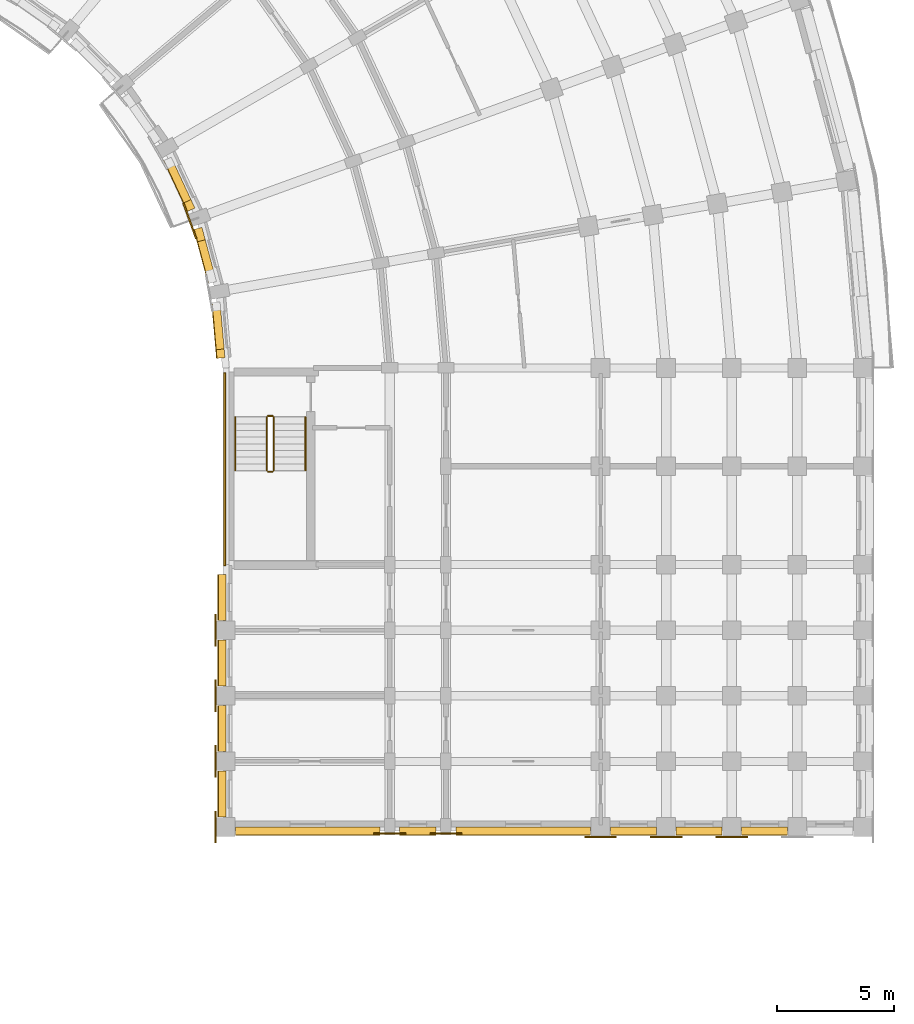
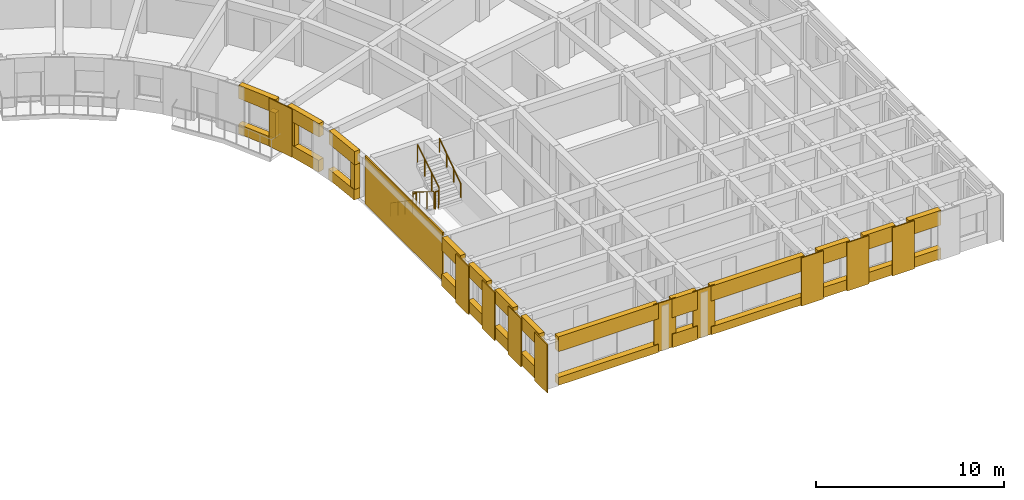
# One storey, part 50 of 54: 40 coverings, 6 railings.
"""IFC4 building model written with IfcOpenShell, lengths in metres."""

from ifc_helpers import new_model, si_unit, direction, frame, origin, origin_2d, place, context, subcontext, project, spatial, polyline, circle, outline, extrude, material, layer, layer_set, type_object, element, save


model = new_model("IFC4")

# Units and contexts
model_context = context("Model", 3, precision=1e-05, world=origin(), true_north=direction((0.0, 1.0)))
body_context = subcontext(model_context, "Body", "Model", "MODEL_VIEW")
ifc_project = project(units=[si_unit("LENGTHUNIT", "METRE"), si_unit("AREAUNIT", "SQUARE_METRE"), si_unit("VOLUMEUNIT", "CUBIC_METRE"), si_unit("PLANEANGLEUNIT", "RADIAN"), si_unit("MASSUNIT", "GRAM", prefix="KILO")], contexts=[model_context])

# Site, building, storey
site_placement = place(None, origin())
site = spatial("IfcSite", under=ifc_project, at=site_placement, CompositionType="ELEMENT")
building_placement = place(site_placement, origin())
building = spatial("IfcBuilding", under=site, at=building_placement, Name="Kiranvali Square Residences", CompositionType="ELEMENT")
storey_placement = place(building_placement, frame((0.0, 0.0, 15.0)))
storey = spatial("IfcBuildingStorey", under=building, at=storey_placement, Name="L04", CompositionType="ELEMENT", Elevation=15.0)

# Coverings
ifc_material_1 = material(Name="Honed Porbandar limestone ashlar facade cladding", Category="masonry")
ifc_layer_1 = layer(ifc_material_1, 0.3798828125)
ifc_layer_set_1 = layer_set([ifc_layer_1], Name="Honed Porbandar limestone ashlar facade cladding")
covering_type_1 = type_object("IfcCoveringType", Name="COV-CLAD-JAMB", PredefinedType="CLADDING", material=ifc_layer_set_1)
covering_1_placement = place(storey_placement, frame((0.0, 0.0, 0.6220703125)))
element("IfcCovering", 1, at=covering_1_placement, inside=storey, type_object=covering_type_1, Name="L04 deep limestone window jamb reveal B-L04-GDN-06.R", PredefinedType="CLADDING", context=body_context, shape_type="SweptSolid", body=[
    extrude(outline(polyline([(136.8037109375, 94.84619140625), (136.97216796875, 94.485107421875), (137.27978515625, 94.62841796875), (137.111328125, 94.98974609375), (136.8037109375, 94.84619140625)])), origin(), (0.0, 0.0, 1.0), 1.64990234375),
])
covering_2_placement = place(storey_placement, frame((0.0, 0.0, 0.77197265625)))
element("IfcCovering", 2, at=covering_2_placement, inside=storey, type_object=covering_type_1, Name="L04 deep limestone window jamb reveal B-L04-GDN-07.L", PredefinedType="CLADDING", context=body_context, shape_type="SweptSolid", body=[
    extrude(outline(polyline([(137.251708984375, 93.717041015625), (137.3935546875, 93.187255859375), (137.7216796875, 93.27490234375), (137.57958984375, 93.804931640625), (137.251708984375, 93.717041015625)])), origin(), (0.0, 0.0, 1.0), 1.5),
])
covering_3_placement = place(storey_placement, frame((0.0, 0.0, 0.672119140625)))
element("IfcCovering", 3, at=covering_3_placement, inside=storey, type_object=covering_type_1, Name="L04 deep limestone window jamb reveal B-L04-GDN-08.R", PredefinedType="CLADDING", context=body_context, shape_type="SweptSolid", body=[
    extrude(outline(polyline([(138.1904296875, 88.580810546875), (138.222900390625, 88.208740234375), (138.56103515625, 88.23828125), (138.528564453125, 88.6103515625), (138.1904296875, 88.580810546875)])), origin(), (0.0, 0.0, 1.0), 1.599853515625),
])
ifc_layer_2 = layer(ifc_material_1, 0.06494140625)
ifc_layer_set_2 = layer_set([ifc_layer_2], Name="Honed Porbandar limestone ashlar facade cladding")
covering_type_2 = type_object("IfcCoveringType", Name="COV-CLAD-PIER", PredefinedType="CLADDING", material=ifc_layer_set_2)
covering_4_placement = place(storey_placement, frame((0.0, 0.0, 0.0048828125)))
element("IfcCovering", 4, at=covering_4_placement, inside=storey, type_object=covering_type_2, Name="Block B L04 Arm 2 stair limestone ashlar cladding", PredefinedType="CLADDING", context=body_context, shape_type="SweptSolid", body=[
    extrude(outline(polyline([(138.52001953125, 87.60009765625), (138.52001953125, 79.35009765625), (138.597900390625, 79.35009765625), (138.597900390625, 87.60009765625), (138.52001953125, 87.60009765625)])), origin(), (0.0, 0.0, 1.0), 3.14013671875),
])
ifc_layer_3 = layer(ifc_material_1, 0.050048828125)
ifc_layer_set_3 = layer_set([ifc_layer_3], Name="Honed Porbandar limestone ashlar facade cladding")
covering_type_3 = type_object("IfcCoveringType", Name="COV-CLAD-PIER-IN", PredefinedType="CLADDING", material=ifc_layer_set_3)
covering_5_placement = place(storey_placement, frame((0.0, 0.0, 0.0048828125)))
element("IfcCovering", 5, at=covering_5_placement, inside=storey, type_object=covering_type_3, Name="L04 Classical garden courtyard pilaster CLAD-PRIN-B-L04-A07", PredefinedType="CLADDING", context=body_context, shape_type="SweptSolid", body=[
    extrude(outline(polyline([(136.7529296875, 94.82177734375), (137.300048828125, 93.318115234375), (137.363525390625, 93.34130859375), (136.816162109375, 94.8447265625), (136.7529296875, 94.82177734375)])), origin(), (0.0, 0.0, 1.0), 3.14013671875),
])
covering_6_placement = place(storey_placement, frame((0.0, 0.0, 0.0048828125)))
element("IfcCovering", 6, at=covering_6_placement, inside=storey, type_object=covering_type_3, Name="L04 Classical limestone pilaster casing CLAD-PRA2I-B-L04-V112", PredefinedType="CLADDING", context=body_context, shape_type="SweptSolid", body=[
    extrude(outline(polyline([(138.132080078125, 77.280029296875), (138.132080078125, 75.919921875), (138.199462890625, 75.919921875), (138.199462890625, 77.280029296875), (138.132080078125, 77.280029296875)])), origin(), (0.0, 0.0, 1.0), 3.14013671875),
])
covering_7_placement = place(storey_placement, frame((0.0, 0.0, 0.0048828125)))
element("IfcCovering", 7, at=covering_7_placement, inside=storey, type_object=covering_type_3, Name="L04 Classical limestone pilaster casing CLAD-PRA2I-B-L04-V140", PredefinedType="CLADDING", context=body_context, shape_type="SweptSolid", body=[
    extrude(outline(polyline([(138.132080078125, 74.47998046875), (138.132080078125, 73.1201171875), (138.199462890625, 73.1201171875), (138.199462890625, 74.47998046875), (138.132080078125, 74.47998046875)])), origin(), (0.0, 0.0, 1.0), 3.14013671875),
])
covering_8_placement = place(storey_placement, frame((0.0, 0.0, 0.0048828125)))
element("IfcCovering", 8, at=covering_8_placement, inside=storey, type_object=covering_type_3, Name="L04 Classical limestone pilaster casing CLAD-PRA2I-B-L04-V167", PredefinedType="CLADDING", context=body_context, shape_type="SweptSolid", body=[
    extrude(outline(polyline([(138.132080078125, 71.679931640625), (138.132080078125, 70.320068359375), (138.199462890625, 70.320068359375), (138.199462890625, 71.679931640625), (138.132080078125, 71.679931640625)])), origin(), (0.0, 0.0, 1.0), 3.14013671875),
])
covering_9_placement = place(storey_placement, frame((0.0, 0.0, 0.0048828125)))
element("IfcCovering", 9, at=covering_9_placement, inside=storey, type_object=covering_type_3, Name="L04 Classical limestone pilaster casing CLAD-PRA2I-B-L04-V196", PredefinedType="CLADDING", context=body_context, shape_type="SweptSolid", body=[
    extrude(outline(polyline([(138.132080078125, 68.8798828125), (138.132080078125, 67.52001953125), (138.199462890625, 67.52001953125), (138.199462890625, 68.8798828125), (138.132080078125, 68.8798828125)])), origin(), (0.0, 0.0, 1.0), 3.14013671875),
])
ifc_layer_4 = layer(ifc_material_1, 0.054931640625)
ifc_layer_set_4 = layer_set([ifc_layer_4], Name="Honed Porbandar limestone ashlar facade cladding")
covering_type_4 = type_object("IfcCoveringType", Name="COV-CLAD-PIER-UP", PredefinedType="CLADDING", material=ifc_layer_set_4)
covering_10_placement = place(storey_placement, frame((0.0, 0.0, 0.0048828125)))
element("IfcCovering", 10, at=covering_10_placement, inside=storey, type_object=covering_type_4, Name="L04 Classical limestone pilaster casing CLAD-PRA2E-B-L04-R258", PredefinedType="CLADDING", context=body_context, shape_type="SweptSolid", body=[
    extrude(outline(polyline([(144.919921875, 67.882080078125), (146.280029296875, 67.882080078125), (146.280029296875, 67.949462890625), (144.919921875, 67.949462890625), (144.919921875, 67.882080078125)])), origin(), (0.0, 0.0, 1.0), 3.14013671875),
])
covering_11_placement = place(storey_placement, frame((0.0, 0.0, 0.0048828125)))
element("IfcCovering", 11, at=covering_11_placement, inside=storey, type_object=covering_type_4, Name="L04 Classical limestone pilaster casing CLAD-PRA2E-B-L04-R282", PredefinedType="CLADDING", context=body_context, shape_type="SweptSolid", body=[
    extrude(outline(polyline([(147.320068359375, 67.882080078125), (148.679931640625, 67.882080078125), (148.679931640625, 67.949462890625), (147.320068359375, 67.949462890625), (147.320068359375, 67.882080078125)])), origin(), (0.0, 0.0, 1.0), 3.14013671875),
])
covering_12_placement = place(storey_placement, frame((0.0, 0.0, 0.0048828125)))
element("IfcCovering", 12, at=covering_12_placement, inside=storey, type_object=covering_type_4, Name="L04 Classical limestone pilaster casing CLAD-PRA2E-B-L04-R348", PredefinedType="CLADDING", context=body_context, shape_type="SweptSolid", body=[
    extrude(outline(polyline([(153.919921875, 67.73193359375), (155.280029296875, 67.73193359375), (155.280029296875, 67.799560546875), (153.919921875, 67.799560546875), (153.919921875, 67.73193359375)])), origin(), (0.0, 0.0, 1.0), 3.14013671875),
])
covering_13_placement = place(storey_placement, frame((0.0, 0.0, 0.0048828125)))
element("IfcCovering", 13, at=covering_13_placement, inside=storey, type_object=covering_type_4, Name="L04 Classical limestone pilaster casing CLAD-PRA2E-B-L04-R376", PredefinedType="CLADDING", context=body_context, shape_type="SweptSolid", body=[
    extrude(outline(polyline([(156.719970703125, 67.73193359375), (158.080078125, 67.73193359375), (158.080078125, 67.799560546875), (156.719970703125, 67.799560546875), (156.719970703125, 67.73193359375)])), origin(), (0.0, 0.0, 1.0), 3.14013671875),
])
covering_14_placement = place(storey_placement, frame((0.0, 0.0, 0.0048828125)))
element("IfcCovering", 14, at=covering_14_placement, inside=storey, type_object=covering_type_4, Name="L04 Classical limestone pilaster casing CLAD-PRA2E-B-L04-R404", PredefinedType="CLADDING", context=body_context, shape_type="SweptSolid", body=[
    extrude(outline(polyline([(159.52001953125, 67.73193359375), (160.8798828125, 67.73193359375), (160.8798828125, 67.799560546875), (159.52001953125, 67.799560546875), (159.52001953125, 67.73193359375)])), origin(), (0.0, 0.0, 1.0), 3.14013671875),
])
ifc_layer_5 = layer(ifc_material_1, 0.360107421875)
ifc_layer_set_5 = layer_set([ifc_layer_5], Name="Honed Porbandar limestone ashlar facade cladding")
covering_type_5 = type_object("IfcCoveringType", Name="COV-CLAD-WALL", PredefinedType="CLADDING", material=ifc_layer_set_5)
covering_15_placement = place(storey_placement, frame((0.0, 0.0, 2.27197265625)))
element("IfcCovering", 15, at=covering_15_placement, inside=storey, type_object=covering_type_5, Name="L04 light limestone spandrel lintel B-L04-GDN-06", PredefinedType="CLADDING", context=body_context, shape_type="SweptSolid", body=[
    extrude(outline(polyline([(135.958984375, 96.657470703125), (136.97216796875, 94.485107421875), (137.27978515625, 94.62841796875), (136.266845703125, 96.801025390625), (135.958984375, 96.657470703125)])), origin(), (0.0, 0.0, 1.0), 0.873046875),
])
covering_16_placement = place(storey_placement, frame((0.0, 0.0, 2.27197265625)))
element("IfcCovering", 16, at=covering_16_placement, inside=storey, type_object=covering_type_5, Name="L04 light limestone spandrel lintel B-L04-GDN-07", PredefinedType="CLADDING", context=body_context, shape_type="SweptSolid", body=[
    extrude(outline(polyline([(137.251708984375, 93.717041015625), (137.8720703125, 91.401611328125), (138.199951171875, 91.489501953125), (137.57958984375, 93.804931640625), (137.251708984375, 93.717041015625)])), origin(), (0.0, 0.0, 1.0), 0.873046875),
])
covering_17_placement = place(storey_placement, frame((0.0, 0.0, 2.27197265625)))
element("IfcCovering", 17, at=covering_17_placement, inside=storey, type_object=covering_type_5, Name="L04 light limestone spandrel lintel B-L04-GDN-08", PredefinedType="CLADDING", context=body_context, shape_type="SweptSolid", body=[
    extrude(outline(polyline([(138.013916015625, 90.5966796875), (138.222900390625, 88.208740234375), (138.56103515625, 88.23828125), (138.352294921875, 90.626220703125), (138.013916015625, 90.5966796875)])), origin(), (0.0, 0.0, 1.0), 0.873046875),
])
covering_18_placement = place(storey_placement, frame((0.0, 0.0, 2.27197265625)))
element("IfcCovering", 18, at=covering_18_placement, inside=storey, type_object=covering_type_5, Name="L04 light limestone spandrel lintel B-L04-A2I-0", PredefinedType="CLADDING", context=body_context, shape_type="SweptSolid", body=[
    extrude(outline(polyline([(138.280029296875, 78.97998046875), (138.280029296875, 77.02001953125), (138.599609375, 77.02001953125), (138.599609375, 78.97998046875), (138.280029296875, 78.97998046875)])), origin(), (0.0, 0.0, 1.0), 0.873046875),
])
covering_19_placement = place(storey_placement, frame((0.0, 0.0, 0.0048828125)))
element("IfcCovering", 19, at=covering_19_placement, inside=storey, type_object=covering_type_5, Name="L04 limestone window sill apron B-L04-A2I-0", PredefinedType="CLADDING", context=body_context, shape_type="SweptSolid", body=[
    extrude(outline(polyline([(138.25, 78.97998046875), (138.25, 77.02001953125), (138.599609375, 77.02001953125), (138.599609375, 78.97998046875), (138.25, 78.97998046875)])), origin(), (0.0, 0.0, 1.0), 0.76708984375),
])
covering_20_placement = place(storey_placement, frame((0.0, 0.0, 2.27197265625)))
element("IfcCovering", 20, at=covering_20_placement, inside=storey, type_object=covering_type_5, Name="L04 light limestone spandrel lintel B-L04-A2I-1", PredefinedType="CLADDING", context=body_context, shape_type="SweptSolid", body=[
    extrude(outline(polyline([(138.280029296875, 76.179931640625), (138.280029296875, 74.219970703125), (138.599609375, 74.219970703125), (138.599609375, 76.179931640625), (138.280029296875, 76.179931640625)])), origin(), (0.0, 0.0, 1.0), 0.873046875),
])
covering_21_placement = place(storey_placement, frame((0.0, 0.0, 0.0048828125)))
element("IfcCovering", 21, at=covering_21_placement, inside=storey, type_object=covering_type_5, Name="L04 limestone window sill apron B-L04-A2I-1", PredefinedType="CLADDING", context=body_context, shape_type="SweptSolid", body=[
    extrude(outline(polyline([(138.25, 76.179931640625), (138.25, 74.219970703125), (138.599609375, 74.219970703125), (138.599609375, 76.179931640625), (138.25, 76.179931640625)])), origin(), (0.0, 0.0, 1.0), 0.76708984375),
])
covering_22_placement = place(storey_placement, frame((0.0, 0.0, 2.27197265625)))
element("IfcCovering", 22, at=covering_22_placement, inside=storey, type_object=covering_type_5, Name="L04 light limestone spandrel lintel B-L04-A2I-2", PredefinedType="CLADDING", context=body_context, shape_type="SweptSolid", body=[
    extrude(outline(polyline([(138.280029296875, 73.3798828125), (138.280029296875, 71.419921875), (138.599609375, 71.419921875), (138.599609375, 73.3798828125), (138.280029296875, 73.3798828125)])), origin(), (0.0, 0.0, 1.0), 0.873046875),
])
covering_23_placement = place(storey_placement, frame((0.0, 0.0, 0.0048828125)))
element("IfcCovering", 23, at=covering_23_placement, inside=storey, type_object=covering_type_5, Name="L04 limestone window sill apron B-L04-A2I-2", PredefinedType="CLADDING", context=body_context, shape_type="SweptSolid", body=[
    extrude(outline(polyline([(138.25, 73.3798828125), (138.25, 71.419921875), (138.599609375, 71.419921875), (138.599609375, 73.3798828125), (138.25, 73.3798828125)])), origin(), (0.0, 0.0, 1.0), 0.76708984375),
])
covering_24_placement = place(storey_placement, frame((0.0, 0.0, 2.27197265625)))
element("IfcCovering", 24, at=covering_24_placement, inside=storey, type_object=covering_type_5, Name="L04 light limestone spandrel lintel B-L04-A2I-3", PredefinedType="CLADDING", context=body_context, shape_type="SweptSolid", body=[
    extrude(outline(polyline([(138.280029296875, 70.580078125), (138.280029296875, 68.6201171875), (138.599609375, 68.6201171875), (138.599609375, 70.580078125), (138.280029296875, 70.580078125)])), origin(), (0.0, 0.0, 1.0), 0.873046875),
])
covering_25_placement = place(storey_placement, frame((0.0, 0.0, 0.0048828125)))
element("IfcCovering", 25, at=covering_25_placement, inside=storey, type_object=covering_type_5, Name="L04 limestone window sill apron B-L04-A2I-3", PredefinedType="CLADDING", context=body_context, shape_type="SweptSolid", body=[
    extrude(outline(polyline([(138.25, 70.580078125), (138.25, 68.6201171875), (138.599609375, 68.6201171875), (138.599609375, 70.580078125), (138.25, 70.580078125)])), origin(), (0.0, 0.0, 1.0), 0.76708984375),
])
covering_26_placement = place(storey_placement, frame((0.0, 0.0, 2.172119140625)))
element("IfcCovering", 26, at=covering_26_placement, inside=storey, type_object=covering_type_5, Name="L04 light limestone spandrel lintel B-L04-A2END-0", PredefinedType="CLADDING", context=body_context, shape_type="SweptSolid", body=[
    extrude(outline(polyline([(139.02001953125, 67.860107421875), (145.179931640625, 67.860107421875), (145.179931640625, 68.199462890625), (139.02001953125, 68.199462890625), (139.02001953125, 67.860107421875)])), origin(), (0.0, 0.0, 1.0), 0.972900390625),
])
covering_27_placement = place(storey_placement, frame((0.0, 0.0, 0.0048828125)))
element("IfcCovering", 27, at=covering_27_placement, inside=storey, type_object=covering_type_5, Name="L04 limestone window sill apron B-L04-A2END-0", PredefinedType="CLADDING", context=body_context, shape_type="SweptSolid", body=[
    extrude(outline(polyline([(139.02001953125, 67.830078125), (145.179931640625, 67.830078125), (145.179931640625, 68.199462890625), (139.02001953125, 68.199462890625), (139.02001953125, 67.830078125)])), origin(), (0.0, 0.0, 1.0), 0.51708984375),
])
covering_28_placement = place(storey_placement, frame((0.0, 0.0, 1.929931640625)))
element("IfcCovering", 28, at=covering_28_placement, inside=storey, type_object=covering_type_5, Name="L04 light limestone spandrel lintel B-L04-A2END-1", PredefinedType="CLADDING", context=body_context, shape_type="SweptSolid", body=[
    extrude(outline(polyline([(146.02001953125, 67.860107421875), (147.580078125, 67.860107421875), (147.580078125, 68.199462890625), (146.02001953125, 68.199462890625), (146.02001953125, 67.860107421875)])), origin(), (0.0, 0.0, 1.0), 1.215087890625),
])
covering_29_placement = place(storey_placement, frame((0.0, 0.0, 0.0048828125)))
element("IfcCovering", 29, at=covering_29_placement, inside=storey, type_object=covering_type_5, Name="L04 limestone window sill apron B-L04-A2END-1", PredefinedType="CLADDING", context=body_context, shape_type="SweptSolid", body=[
    extrude(outline(polyline([(146.02001953125, 67.830078125), (147.580078125, 67.830078125), (147.580078125, 68.199462890625), (146.02001953125, 68.199462890625), (146.02001953125, 67.830078125)])), origin(), (0.0, 0.0, 1.0), 0.875),
])
covering_30_placement = place(storey_placement, frame((0.0, 0.0, 2.172119140625)))
element("IfcCovering", 30, at=covering_30_placement, inside=storey, type_object=covering_type_5, Name="L04 light limestone spandrel lintel B-L04-A2END-2", PredefinedType="CLADDING", context=body_context, shape_type="SweptSolid", body=[
    extrude(outline(polyline([(148.419921875, 67.860107421875), (154.179931640625, 67.860107421875), (154.179931640625, 68.199462890625), (148.419921875, 68.199462890625), (148.419921875, 67.860107421875)])), origin(), (0.0, 0.0, 1.0), 0.972900390625),
])
covering_31_placement = place(storey_placement, frame((0.0, 0.0, 0.0048828125)))
element("IfcCovering", 31, at=covering_31_placement, inside=storey, type_object=covering_type_5, Name="L04 limestone window sill apron B-L04-A2END-2", PredefinedType="CLADDING", context=body_context, shape_type="SweptSolid", body=[
    extrude(outline(polyline([(148.419921875, 67.830078125), (154.179931640625, 67.830078125), (154.179931640625, 68.199462890625), (148.419921875, 68.199462890625), (148.419921875, 67.830078125)])), origin(), (0.0, 0.0, 1.0), 0.51708984375),
])
covering_32_placement = place(storey_placement, frame((0.0, 0.0, 2.172119140625)))
element("IfcCovering", 32, at=covering_32_placement, inside=storey, type_object=covering_type_5, Name="L04 light limestone spandrel lintel B-L04-A2END-3", PredefinedType="CLADDING", context=body_context, shape_type="SweptSolid", body=[
    extrude(outline(polyline([(155.02001953125, 67.860107421875), (156.97998046875, 67.860107421875), (156.97998046875, 68.199462890625), (155.02001953125, 68.199462890625), (155.02001953125, 67.860107421875)])), origin(), (0.0, 0.0, 1.0), 0.972900390625),
])
covering_33_placement = place(storey_placement, frame((0.0, 0.0, 0.0048828125)))
element("IfcCovering", 33, at=covering_33_placement, inside=storey, type_object=covering_type_5, Name="L04 limestone window sill apron B-L04-A2END-3", PredefinedType="CLADDING", context=body_context, shape_type="SweptSolid", body=[
    extrude(outline(polyline([(155.02001953125, 67.830078125), (156.97998046875, 67.830078125), (156.97998046875, 68.199462890625), (155.02001953125, 68.199462890625), (155.02001953125, 67.830078125)])), origin(), (0.0, 0.0, 1.0), 0.667236328125),
])
covering_34_placement = place(storey_placement, frame((0.0, 0.0, 2.172119140625)))
element("IfcCovering", 34, at=covering_34_placement, inside=storey, type_object=covering_type_5, Name="L04 light limestone spandrel lintel B-L04-A2END-4", PredefinedType="CLADDING", context=body_context, shape_type="SweptSolid", body=[
    extrude(outline(polyline([(157.820068359375, 67.860107421875), (159.780029296875, 67.860107421875), (159.780029296875, 68.199462890625), (157.820068359375, 68.199462890625), (157.820068359375, 67.860107421875)])), origin(), (0.0, 0.0, 1.0), 0.972900390625),
])
covering_35_placement = place(storey_placement, frame((0.0, 0.0, 0.0048828125)))
element("IfcCovering", 35, at=covering_35_placement, inside=storey, type_object=covering_type_5, Name="L04 limestone window sill apron B-L04-A2END-4", PredefinedType="CLADDING", context=body_context, shape_type="SweptSolid", body=[
    extrude(outline(polyline([(157.820068359375, 67.830078125), (159.780029296875, 67.830078125), (159.780029296875, 68.199462890625), (157.820068359375, 68.199462890625), (157.820068359375, 67.830078125)])), origin(), (0.0, 0.0, 1.0), 0.667236328125),
])
covering_36_placement = place(storey_placement, frame((0.0, 0.0, 2.172119140625)))
element("IfcCovering", 36, at=covering_36_placement, inside=storey, type_object=covering_type_5, Name="L04 light limestone spandrel lintel B-L04-A2END-5", PredefinedType="CLADDING", context=body_context, shape_type="SweptSolid", body=[
    extrude(outline(polyline([(160.6201171875, 67.860107421875), (162.580078125, 67.860107421875), (162.580078125, 68.199462890625), (160.6201171875, 68.199462890625), (160.6201171875, 67.860107421875)])), origin(), (0.0, 0.0, 1.0), 0.972900390625),
])
covering_37_placement = place(storey_placement, frame((0.0, 0.0, 0.0048828125)))
element("IfcCovering", 37, at=covering_37_placement, inside=storey, type_object=covering_type_5, Name="L04 limestone window sill apron B-L04-A2END-5", PredefinedType="CLADDING", context=body_context, shape_type="SweptSolid", body=[
    extrude(outline(polyline([(160.6201171875, 67.830078125), (162.580078125, 67.830078125), (162.580078125, 68.199462890625), (160.6201171875, 68.199462890625), (160.6201171875, 67.830078125)])), origin(), (0.0, 0.0, 1.0), 0.667236328125),
])
ifc_layer_6 = layer(ifc_material_1, 0.2900390625)
ifc_layer_set_6 = layer_set([ifc_layer_6], Name="Honed Porbandar limestone ashlar facade cladding")
covering_type_6 = type_object("IfcCoveringType", Name="COV-CLAD-WALL-IN", PredefinedType="CLADDING", material=ifc_layer_set_6)
covering_38_placement = place(storey_placement, frame((0.0, 0.0, 0.0048828125)))
element("IfcCovering", 38, at=covering_38_placement, inside=storey, type_object=covering_type_6, Name="L04 limestone window sill apron B-L04-GDN-06", PredefinedType="CLADDING", context=body_context, shape_type="SweptSolid", body=[
    extrude(outline(polyline([(135.931884765625, 96.644775390625), (136.94482421875, 94.472412109375), (137.27978515625, 94.62841796875), (136.266845703125, 96.801025390625), (135.931884765625, 96.644775390625)])), origin(), (0.0, 0.0, 1.0), 0.6171875),
])
covering_39_placement = place(storey_placement, frame((0.0, 0.0, 0.0048828125)))
element("IfcCovering", 39, at=covering_39_placement, inside=storey, type_object=covering_type_6, Name="L04 limestone window sill apron B-L04-GDN-07", PredefinedType="CLADDING", context=body_context, shape_type="SweptSolid", body=[
    extrude(outline(polyline([(137.22265625, 93.709228515625), (137.843017578125, 91.393798828125), (138.199951171875, 91.489501953125), (137.57958984375, 93.804931640625), (137.22265625, 93.709228515625)])), origin(), (0.0, 0.0, 1.0), 0.76708984375),
])
covering_40_placement = place(storey_placement, frame((0.0, 0.0, 0.0048828125)))
element("IfcCovering", 40, at=covering_40_placement, inside=storey, type_object=covering_type_6, Name="L04 limestone window sill apron B-L04-GDN-08", PredefinedType="CLADDING", context=body_context, shape_type="SweptSolid", body=[
    extrude(outline(polyline([(137.984130859375, 90.593994140625), (138.193115234375, 88.2060546875), (138.56103515625, 88.23828125), (138.352294921875, 90.626220703125), (137.984130859375, 90.593994140625)])), origin(), (0.0, 0.0, 1.0), 0.667236328125),
])

# Railings
ifc_material_2 = material(Name="Brushed stainless steel tubular handrail", Category="steel")
railing_type_1 = type_object("IfcRailingType", Name="RL-HANDRAIL-900", PredefinedType="HANDRAIL", material=ifc_material_2)
railing_1_placement = place(storey_placement, frame((139.0, 85.699951171875, 0.175048828125)))
element("IfcRailing", 41, at=railing_1_placement, inside=storey, type_object=railing_type_1, Name="L04 ST-B3 stair handrail 1", PredefinedType="HANDRAIL", context=body_context, shape_type="SweptSolid", body=[
    extrude(circle(Radius=0.02392578125, at=origin_2d()), frame((0.0, 0.0, 0.8759765625), z_axis=(0.0, -0.82278801735, 0.568348377763), x_axis=(1.0, 0.0, 0.0)), (0.0, 0.0, 1.0), 2.77099609375),
    extrude(circle(Radius=0.02099609375, at=origin_2d()), origin(), (0.0, 0.0, 1.0), 0.851806640625),
    extrude(circle(Radius=0.02099609375, at=origin_2d()), frame((0.0, -0.760009765625, 0.52490234375)), (0.0, 0.0, 1.0), 0.851806640625),
    extrude(circle(Radius=0.02099609375, at=origin_2d()), frame((0.0, -1.52001953125, 1.050048828125)), (0.0, 0.0, 1.0), 0.851806640625),
    extrude(circle(Radius=0.02099609375, at=origin_2d()), frame((0.0, -2.280029296875, 1.574951171875)), (0.0, 0.0, 1.0), 0.851806640625),
])
railing_2_placement = place(storey_placement, frame((142.0, 83.419921875, 1.75)))
element("IfcRailing", 42, at=railing_2_placement, inside=storey, type_object=railing_type_1, Name="L04 ST-B3 stair handrail 2", PredefinedType="HANDRAIL", context=body_context, shape_type="SweptSolid", body=[
    extrude(circle(Radius=0.02392578125, at=origin_2d()), frame((0.0, 0.0, 0.8759765625), z_axis=(0.0, 0.82278801735, 0.568348377763), x_axis=(-1.0, 0.0, 0.0)), (0.0, 0.0, 1.0), 2.77099609375),
    extrude(circle(Radius=0.02099609375, at=origin_2d()), origin(), (0.0, 0.0, 1.0), 0.851806640625),
    extrude(circle(Radius=0.02099609375, at=origin_2d()), frame((0.0, 0.760009765625, 0.52490234375)), (0.0, 0.0, 1.0), 0.851806640625),
    extrude(circle(Radius=0.02099609375, at=origin_2d()), frame((0.0, 1.52001953125, 1.050048828125)), (0.0, 0.0, 1.0), 0.851806640625),
    extrude(circle(Radius=0.02099609375, at=origin_2d()), frame((0.0, 2.280029296875, 1.574951171875)), (0.0, 0.0, 1.0), 0.851806640625),
])
ifc_material_3 = material(Name="Powder-coated architectural bronze balustrade", Category="steel")
railing_type_2 = type_object("IfcRailingType", Name="RL-ST-GUARD-1200", PredefinedType="GUARDRAIL", material=ifc_material_3)
railing_3_placement = place(storey_placement, frame((140.35009765625, 85.699951171875, 0.175048828125)))
element("IfcRailing", 43, at=railing_3_placement, inside=storey, type_object=railing_type_2, Name="L04 ST-B3 stair guard 1", PredefinedType="GUARDRAIL", context=body_context, shape_type="SweptSolid", body=[
    extrude(circle(Radius=0.02392578125, at=origin_2d()), frame((0.0, 0.0, 1.1259765625), z_axis=(0.0, -0.852190499154, 0.523231643875), x_axis=(1.0, 0.0, 0.0)), (0.0, 0.0, 1.0), 2.675537109375),
    extrude(circle(Radius=0.02099609375, at=origin_2d()), origin(), (0.0, 0.0, 1.0), 1.101806640625),
    extrude(circle(Radius=0.02099609375, at=origin_2d()), frame((0.0, -0.760009765625, 0.466552734375)), (0.0, 0.0, 1.0), 1.101806640625),
    extrude(circle(Radius=0.02099609375, at=origin_2d()), frame((0.0, -1.52001953125, 0.933349609375)), (0.0, 0.0, 1.0), 1.101806640625),
    extrude(circle(Radius=0.02099609375, at=origin_2d()), frame((0.0, -2.280029296875, 1.39990234375)), (0.0, 0.0, 1.0), 1.101806640625),
])
railing_4_placement = place(storey_placement, frame((140.39990234375, 83.3701171875, 1.574951171875)))
element("IfcRailing", 44, at=railing_4_placement, inside=storey, type_object=railing_type_2, Name="L04 ST-B3 stair guard 2", PredefinedType="GUARDRAIL", context=body_context, shape_type="SweptSolid", body=[
    extrude(circle(Radius=0.02392578125, at=origin_2d()), frame((0.0, 0.0, 1.1259765625), z_axis=(1.0, 0.0, 0.0), x_axis=(0.0, 1.0, 0.0)), (0.0, 0.0, 1.0), 0.2001953125),
    extrude(circle(Radius=0.02099609375, at=origin_2d()), origin(), (0.0, 0.0, 1.0), 1.101806640625),
    extrude(circle(Radius=0.02099609375, at=origin_2d()), frame((0.2001953125, 0.0, 0.0)), (0.0, 0.0, 1.0), 1.101806640625),
])
railing_5_placement = place(storey_placement, frame((140.64990234375, 83.419921875, 1.75)))
element("IfcRailing", 45, at=railing_5_placement, inside=storey, type_object=railing_type_2, Name="L04 ST-B3 stair guard 3", PredefinedType="GUARDRAIL", context=body_context, shape_type="SweptSolid", body=[
    extrude(circle(Radius=0.02392578125, at=origin_2d()), frame((0.0, 0.0, 1.1259765625), z_axis=(0.0, 0.852190499154, 0.523231643875), x_axis=(-1.0, 0.0, 0.0)), (0.0, 0.0, 1.0), 2.675537109375),
    extrude(circle(Radius=0.02099609375, at=origin_2d()), origin(), (0.0, 0.0, 1.0), 1.101806640625),
    extrude(circle(Radius=0.02099609375, at=origin_2d()), frame((0.0, 0.760009765625, 0.466552734375)), (0.0, 0.0, 1.0), 1.101806640625),
    extrude(circle(Radius=0.02099609375, at=origin_2d()), frame((0.0, 1.52001953125, 0.933349609375)), (0.0, 0.0, 1.0), 1.101806640625),
    extrude(circle(Radius=0.02099609375, at=origin_2d()), frame((0.0, 2.280029296875, 1.39990234375)), (0.0, 0.0, 1.0), 1.101806640625),
])
railing_6_placement = place(storey_placement, frame((140.39990234375, 85.75, 0.0)))
element("IfcRailing", 46, at=railing_6_placement, inside=storey, type_object=railing_type_2, Name="L04 ST-B3 stair guard 4", PredefinedType="GUARDRAIL", context=body_context, shape_type="SweptSolid", body=[
    extrude(circle(Radius=0.02392578125, at=origin_2d()), frame((0.0, 0.0, 1.1259765625), z_axis=(1.0, 0.0, 0.0), x_axis=(0.0, 1.0, 0.0)), (0.0, 0.0, 1.0), 0.2001953125),
    extrude(circle(Radius=0.02099609375, at=origin_2d()), origin(), (0.0, 0.0, 1.0), 1.101806640625),
    extrude(circle(Radius=0.02099609375, at=origin_2d()), frame((0.2001953125, 0.0, 0.0)), (0.0, 0.0, 1.0), 1.101806640625),
])

save(model, "model.ifc")
